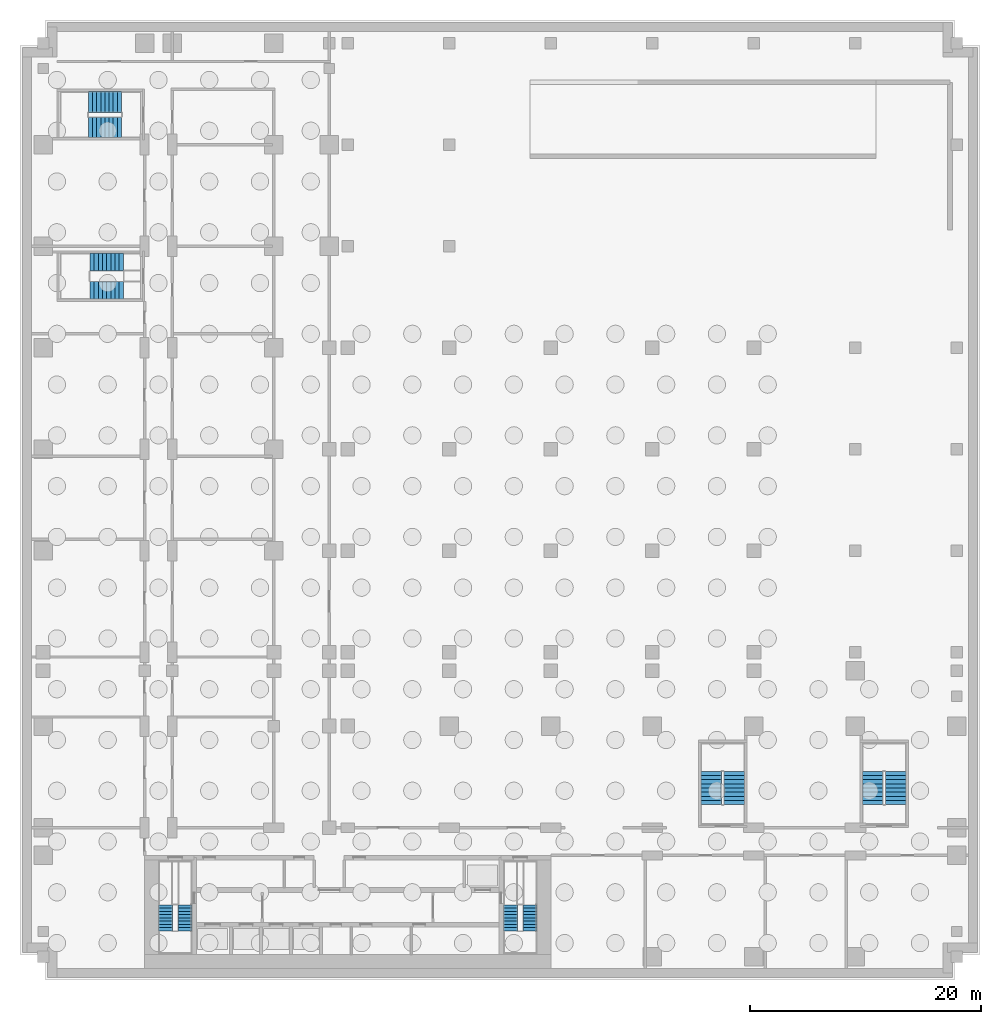
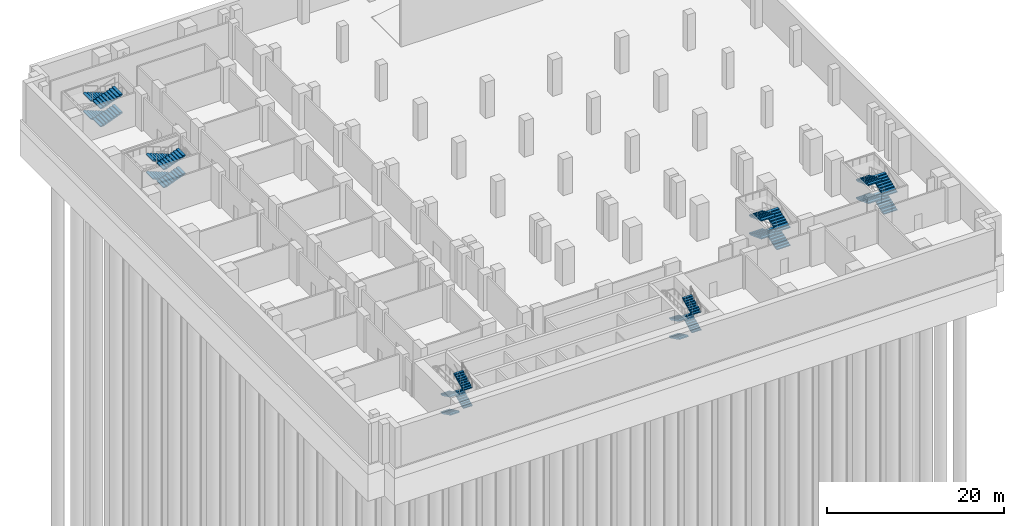
# One storey, part 9 of 14: 24 stair flights, 6 elements without a shape of their own.
"""IFC4 building model written with IfcOpenShell, lengths in metres."""

from ifc_helpers import new_model, si_unit, direction, frame, origin, place, context, subcontext, project, spatial, polyline, outline, extrude, material, type_object, element, aggregate, save


model = new_model("IFC4")

# Units and contexts
model_context = context("Model", 3, precision=1e-05, world=origin(), true_north=direction((0.0, 1.0)))
body_context = subcontext(model_context, "Body", "Model", "MODEL_VIEW")
ifc_project = project(units=[si_unit("LENGTHUNIT", "METRE"), si_unit("AREAUNIT", "SQUARE_METRE"), si_unit("VOLUMEUNIT", "CUBIC_METRE"), si_unit("PLANEANGLEUNIT", "RADIAN"), si_unit("MASSUNIT", "GRAM", prefix="KILO")], contexts=[model_context])

# Site, building, storey
site_placement = place(None, origin())
site = spatial("IfcSite", under=ifc_project, at=site_placement, CompositionType="ELEMENT")
building_placement = place(site_placement, origin())
building = spatial("IfcBuilding", under=site, at=building_placement, Name="Kemantara Hotel Tower", CompositionType="ELEMENT")
storey_placement = place(building_placement, frame((0.0, 0.0, -17.0)))
storey = spatial("IfcBuildingStorey", under=building, at=storey_placement, Name="B3", CompositionType="ELEMENT", Elevation=-17.0)

# Stair, stair flights
ifc_material = material(Name="Concrete fc 40 MPa", Category="concrete")
stair_type_1 = type_object("IfcStairType", Name="Stair 1200 wide 36 risers of 139 x 280 mm", PredefinedType="HALF_TURN_STAIR", material=ifc_material)
stair_1_placement = place(storey_placement, origin())
stair_1 = element("IfcStair", 1, at=stair_1_placement, inside=storey, type_object=stair_type_1, Name="B3 Exit stair ST1", PredefinedType="HALF_TURN_STAIR")
stair_flight_type_1 = type_object("IfcStairFlightType", Name="Stair flight 1200 wide 139 x 280 mm", PredefinedType="STRAIGHT", material=ifc_material)
stair_flight_1_placement = place(storey_placement, frame((11.60009765625, 5.5, 0.0), z_axis=(0.0, 0.0, 1.0), x_axis=(0.0, -1.0, 0.0)))
stair_flight_1 = element("IfcStairFlight", 2, at=stair_flight_1_placement, type_object=stair_flight_type_1, Name="ST1 flight 1", NumberOfRisers=9, NumberOfTreads=8, PredefinedType="STRAIGHT", RiserHeight=0.138888889, TreadLength=0.28, context=body_context, shape_type="SweptSolid", body=[
    extrude(outline(polyline([(0.0, 0.0), (0.0, 0.138916015625), (0.280029296875, 0.138916015625), (0.280029296875, 0.27783203125), (0.56005859375, 0.27783203125), (0.56005859375, 0.416748046875), (0.840087890625, 0.416748046875), (0.840087890625, 0.5556640625), (1.1201171875, 0.5556640625), (1.1201171875, 0.6943359375), (1.39990234375, 0.6943359375), (1.39990234375, 0.833251953125), (1.679931640625, 0.833251953125), (1.679931640625, 0.97216796875), (1.9599609375, 0.97216796875), (1.9599609375, 1.111083984375), (2.239990234375, 1.111083984375), (2.239990234375, 1.25), (2.239990234375, 0.94384765625), (0.33740234375, 0.0), (0.0, 0.0)])), frame((0.0, 0.60009765625, 0.0), z_axis=(0.0, -1.0, 0.0), x_axis=(1.0, 0.0, 0.0)), (0.0, 0.0, 1.0), 1.199951171875),
])
stair_flight_2_placement = place(storey_placement, frame((13.300048828125, 3.260009765625, 1.25), z_axis=(0.0, 0.0, 1.0), x_axis=(0.0, 1.0, 0.0)))
stair_flight_2 = element("IfcStairFlight", 3, at=stair_flight_2_placement, type_object=stair_flight_type_1, Name="ST1 flight 2", NumberOfRisers=9, NumberOfTreads=8, PredefinedType="STRAIGHT", RiserHeight=0.138888889, TreadLength=0.28, context=body_context, shape_type="SweptSolid", body=[
    extrude(outline(polyline([(0.0, 0.0), (0.0, 0.138916015625), (0.280029296875, 0.138916015625), (0.280029296875, 0.27783203125), (0.56005859375, 0.27783203125), (0.56005859375, 0.416748046875), (0.840087890625, 0.416748046875), (0.840087890625, 0.5556640625), (1.1201171875, 0.5556640625), (1.1201171875, 0.6943359375), (1.39990234375, 0.6943359375), (1.39990234375, 0.833251953125), (1.679931640625, 0.833251953125), (1.679931640625, 0.97216796875), (1.9599609375, 0.97216796875), (1.9599609375, 1.111083984375), (2.239990234375, 1.111083984375), (2.239990234375, 1.25), (2.239990234375, 0.94384765625), (0.33740234375, 0.0), (0.0, 0.0)])), frame((0.0, 0.60009765625, 0.0), z_axis=(0.0, -1.0, 0.0), x_axis=(1.0, 0.0, 0.0)), (0.0, 0.0, 1.0), 1.199951171875),
])
stair_flight_3_placement = place(storey_placement, frame((11.60009765625, 5.5, 2.5), z_axis=(0.0, 0.0, 1.0), x_axis=(0.0, -1.0, 0.0)))
stair_flight_3 = element("IfcStairFlight", 4, at=stair_flight_3_placement, type_object=stair_flight_type_1, Name="ST1 flight 3", NumberOfRisers=9, NumberOfTreads=8, PredefinedType="STRAIGHT", RiserHeight=0.138888889, TreadLength=0.28, context=body_context, shape_type="SweptSolid", body=[
    extrude(outline(polyline([(0.0, 0.0), (0.0, 0.138916015625), (0.280029296875, 0.138916015625), (0.280029296875, 0.27783203125), (0.56005859375, 0.27783203125), (0.56005859375, 0.416748046875), (0.840087890625, 0.416748046875), (0.840087890625, 0.5556640625), (1.1201171875, 0.5556640625), (1.1201171875, 0.6943359375), (1.39990234375, 0.6943359375), (1.39990234375, 0.833251953125), (1.679931640625, 0.833251953125), (1.679931640625, 0.97216796875), (1.9599609375, 0.97216796875), (1.9599609375, 1.111083984375), (2.239990234375, 1.111083984375), (2.239990234375, 1.25), (2.239990234375, 0.94384765625), (0.33740234375, 0.0), (0.0, 0.0)])), frame((0.0, 0.60009765625, 0.0), z_axis=(0.0, -1.0, 0.0), x_axis=(1.0, 0.0, 0.0)), (0.0, 0.0, 1.0), 1.199951171875),
])
stair_flight_4_placement = place(storey_placement, frame((13.300048828125, 3.260009765625, 3.75), z_axis=(0.0, 0.0, 1.0), x_axis=(0.0, 1.0, 0.0)))
stair_flight_4 = element("IfcStairFlight", 5, at=stair_flight_4_placement, type_object=stair_flight_type_1, Name="ST1 flight 4", NumberOfRisers=9, NumberOfTreads=8, PredefinedType="STRAIGHT", RiserHeight=0.138888889, TreadLength=0.28, context=body_context, shape_type="SweptSolid", body=[
    extrude(outline(polyline([(0.0, 0.0), (0.0, 0.138916015625), (0.280029296875, 0.138916015625), (0.280029296875, 0.27783203125), (0.56005859375, 0.27783203125), (0.56005859375, 0.416748046875), (0.840087890625, 0.416748046875), (0.840087890625, 0.5556640625), (1.1201171875, 0.5556640625), (1.1201171875, 0.6943359375), (1.39990234375, 0.6943359375), (1.39990234375, 0.833251953125), (1.679931640625, 0.833251953125), (1.679931640625, 0.97216796875), (1.9599609375, 0.97216796875), (1.9599609375, 1.111083984375), (2.239990234375, 1.111083984375), (2.239990234375, 1.25), (2.239990234375, 0.94384765625), (0.33740234375, 0.0), (0.0, 0.0)])), frame((0.0, 0.60009765625, 0.0), z_axis=(0.0, -1.0, 0.0), x_axis=(1.0, 0.0, 0.0)), (0.0, 0.0, 1.0), 1.199951171875),
])
aggregate(stair_1, [stair_flight_1, stair_flight_2, stair_flight_3, stair_flight_4])

stair_2_placement = place(storey_placement, origin())
stair_2 = element("IfcStair", 6, at=stair_2_placement, inside=storey, type_object=stair_type_1, Name="B3 Exit stair ST2", PredefinedType="HALF_TURN_STAIR")
stair_flight_5_placement = place(storey_placement, frame((41.5, 5.5, 0.0), z_axis=(0.0, 0.0, 1.0), x_axis=(0.0, -1.0, 0.0)))
stair_flight_5 = element("IfcStairFlight", 7, at=stair_flight_5_placement, type_object=stair_flight_type_1, Name="ST2 flight 1", NumberOfRisers=9, NumberOfTreads=8, PredefinedType="STRAIGHT", RiserHeight=0.138888889, TreadLength=0.28, context=body_context, shape_type="SweptSolid", body=[
    extrude(outline(polyline([(0.0, 0.0), (0.0, 0.138916015625), (0.280029296875, 0.138916015625), (0.280029296875, 0.27783203125), (0.56005859375, 0.27783203125), (0.56005859375, 0.416748046875), (0.840087890625, 0.416748046875), (0.840087890625, 0.5556640625), (1.1201171875, 0.5556640625), (1.1201171875, 0.6943359375), (1.39990234375, 0.6943359375), (1.39990234375, 0.833251953125), (1.679931640625, 0.833251953125), (1.679931640625, 0.97216796875), (1.9599609375, 0.97216796875), (1.9599609375, 1.111083984375), (2.239990234375, 1.111083984375), (2.239990234375, 1.25), (2.239990234375, 0.94384765625), (0.33740234375, 0.0), (0.0, 0.0)])), frame((0.0, 0.60009765625, 0.0), z_axis=(0.0, -1.0, 0.0), x_axis=(1.0, 0.0, 0.0)), (0.0, 0.0, 1.0), 1.199951171875),
])
stair_flight_6_placement = place(storey_placement, frame((43.199951171875, 3.260009765625, 1.25), z_axis=(0.0, 0.0, 1.0), x_axis=(0.0, 1.0, 0.0)))
stair_flight_6 = element("IfcStairFlight", 8, at=stair_flight_6_placement, type_object=stair_flight_type_1, Name="ST2 flight 2", NumberOfRisers=9, NumberOfTreads=8, PredefinedType="STRAIGHT", RiserHeight=0.138888889, TreadLength=0.28, context=body_context, shape_type="SweptSolid", body=[
    extrude(outline(polyline([(0.0, 0.0), (0.0, 0.138916015625), (0.280029296875, 0.138916015625), (0.280029296875, 0.27783203125), (0.56005859375, 0.27783203125), (0.56005859375, 0.416748046875), (0.840087890625, 0.416748046875), (0.840087890625, 0.5556640625), (1.1201171875, 0.5556640625), (1.1201171875, 0.6943359375), (1.39990234375, 0.6943359375), (1.39990234375, 0.833251953125), (1.679931640625, 0.833251953125), (1.679931640625, 0.97216796875), (1.9599609375, 0.97216796875), (1.9599609375, 1.111083984375), (2.239990234375, 1.111083984375), (2.239990234375, 1.25), (2.239990234375, 0.94384765625), (0.33740234375, 0.0), (0.0, 0.0)])), frame((0.0, 0.60009765625, 0.0), z_axis=(0.0, -1.0, 0.0), x_axis=(1.0, 0.0, 0.0)), (0.0, 0.0, 1.0), 1.199951171875),
])
stair_flight_7_placement = place(storey_placement, frame((41.5, 5.5, 2.5), z_axis=(0.0, 0.0, 1.0), x_axis=(0.0, -1.0, 0.0)))
stair_flight_7 = element("IfcStairFlight", 9, at=stair_flight_7_placement, type_object=stair_flight_type_1, Name="ST2 flight 3", NumberOfRisers=9, NumberOfTreads=8, PredefinedType="STRAIGHT", RiserHeight=0.138888889, TreadLength=0.28, context=body_context, shape_type="SweptSolid", body=[
    extrude(outline(polyline([(0.0, 0.0), (0.0, 0.138916015625), (0.280029296875, 0.138916015625), (0.280029296875, 0.27783203125), (0.56005859375, 0.27783203125), (0.56005859375, 0.416748046875), (0.840087890625, 0.416748046875), (0.840087890625, 0.5556640625), (1.1201171875, 0.5556640625), (1.1201171875, 0.6943359375), (1.39990234375, 0.6943359375), (1.39990234375, 0.833251953125), (1.679931640625, 0.833251953125), (1.679931640625, 0.97216796875), (1.9599609375, 0.97216796875), (1.9599609375, 1.111083984375), (2.239990234375, 1.111083984375), (2.239990234375, 1.25), (2.239990234375, 0.94384765625), (0.33740234375, 0.0), (0.0, 0.0)])), frame((0.0, 0.60009765625, 0.0), z_axis=(0.0, -1.0, 0.0), x_axis=(1.0, 0.0, 0.0)), (0.0, 0.0, 1.0), 1.199951171875),
])
stair_flight_8_placement = place(storey_placement, frame((43.199951171875, 3.260009765625, 3.75), z_axis=(0.0, 0.0, 1.0), x_axis=(0.0, 1.0, 0.0)))
stair_flight_8 = element("IfcStairFlight", 10, at=stair_flight_8_placement, type_object=stair_flight_type_1, Name="ST2 flight 4", NumberOfRisers=9, NumberOfTreads=8, PredefinedType="STRAIGHT", RiserHeight=0.138888889, TreadLength=0.28, context=body_context, shape_type="SweptSolid", body=[
    extrude(outline(polyline([(0.0, 0.0), (0.0, 0.138916015625), (0.280029296875, 0.138916015625), (0.280029296875, 0.27783203125), (0.56005859375, 0.27783203125), (0.56005859375, 0.416748046875), (0.840087890625, 0.416748046875), (0.840087890625, 0.5556640625), (1.1201171875, 0.5556640625), (1.1201171875, 0.6943359375), (1.39990234375, 0.6943359375), (1.39990234375, 0.833251953125), (1.679931640625, 0.833251953125), (1.679931640625, 0.97216796875), (1.9599609375, 0.97216796875), (1.9599609375, 1.111083984375), (2.239990234375, 1.111083984375), (2.239990234375, 1.25), (2.239990234375, 0.94384765625), (0.33740234375, 0.0), (0.0, 0.0)])), frame((0.0, 0.60009765625, 0.0), z_axis=(0.0, -1.0, 0.0), x_axis=(1.0, 0.0, 0.0)), (0.0, 0.0, 1.0), 1.199951171875),
])
aggregate(stair_2, [stair_flight_5, stair_flight_6, stair_flight_7, stair_flight_8])

stair_type_2 = type_object("IfcStairType", Name="Stair 1550 wide 36 risers of 139 x 360 mm", PredefinedType="HALF_TURN_STAIR", material=ifc_material)
stair_3_placement = place(storey_placement, origin())
stair_3 = element("IfcStair", 11, at=stair_3_placement, inside=storey, type_object=stair_type_2, Name="B3 Exit stair ST4", PredefinedType="HALF_TURN_STAIR")
stair_flight_type_2 = type_object("IfcStairFlightType", Name="Stair flight 1550 wide 139 x 360 mm", PredefinedType="STRAIGHT", material=ifc_material)
stair_flight_9_placement = place(storey_placement, frame((7.949951171875, 61.22509765625, 0.0), z_axis=(0.0, 0.0, 1.0), x_axis=(-1.0, 0.0, 0.0)))
stair_flight_9 = element("IfcStairFlight", 12, at=stair_flight_9_placement, type_object=stair_flight_type_2, Name="ST4 flight 1", NumberOfRisers=9, NumberOfTreads=8, PredefinedType="STRAIGHT", RiserHeight=0.138888889, TreadLength=0.36, context=body_context, shape_type="SweptSolid", body=[
    extrude(outline(polyline([(0.0, 0.0), (0.0, 0.138916015625), (0.360107421875, 0.138916015625), (0.360107421875, 0.27783203125), (0.719970703125, 0.27783203125), (0.719970703125, 0.416748046875), (1.080078125, 0.416748046875), (1.080078125, 0.5556640625), (1.43994140625, 0.5556640625), (1.43994140625, 0.6943359375), (1.800048828125, 0.6943359375), (1.800048828125, 0.833251953125), (2.159912109375, 0.833251953125), (2.159912109375, 0.97216796875), (2.52001953125, 0.97216796875), (2.52001953125, 1.111083984375), (2.8798828125, 1.111083984375), (2.8798828125, 1.25), (2.8798828125, 0.950439453125), (0.41650390625, 0.0), (0.0, 0.0)])), frame((0.0, 0.77490234375, 0.0), z_axis=(0.0, -1.0, 0.0), x_axis=(1.0, 0.0, 0.0)), (0.0, 0.0, 1.0), 1.550048828125),
])
stair_flight_10_placement = place(storey_placement, frame((5.070068359375, 58.77490234375, 1.25), z_axis=(0.0, 0.0, 1.0), x_axis=(1.0, 0.0, 0.0)))
stair_flight_10 = element("IfcStairFlight", 13, at=stair_flight_10_placement, type_object=stair_flight_type_2, Name="ST4 flight 2", NumberOfRisers=9, NumberOfTreads=8, PredefinedType="STRAIGHT", RiserHeight=0.138888889, TreadLength=0.36, context=body_context, shape_type="SweptSolid", body=[
    extrude(outline(polyline([(0.0, 0.0), (0.0, 0.138916015625), (0.360107421875, 0.138916015625), (0.360107421875, 0.27783203125), (0.719970703125, 0.27783203125), (0.719970703125, 0.416748046875), (1.080078125, 0.416748046875), (1.080078125, 0.5556640625), (1.43994140625, 0.5556640625), (1.43994140625, 0.6943359375), (1.800048828125, 0.6943359375), (1.800048828125, 0.833251953125), (2.159912109375, 0.833251953125), (2.159912109375, 0.97216796875), (2.52001953125, 0.97216796875), (2.52001953125, 1.111083984375), (2.8798828125, 1.111083984375), (2.8798828125, 1.25), (2.8798828125, 0.950439453125), (0.41650390625, 0.0), (0.0, 0.0)])), frame((0.0, 0.77490234375, 0.0), z_axis=(0.0, -1.0, 0.0), x_axis=(1.0, 0.0, 0.0)), (0.0, 0.0, 1.0), 1.550048828125),
])
stair_flight_11_placement = place(storey_placement, frame((7.949951171875, 61.22509765625, 2.5), z_axis=(0.0, 0.0, 1.0), x_axis=(-1.0, 0.0, 0.0)))
stair_flight_11 = element("IfcStairFlight", 14, at=stair_flight_11_placement, type_object=stair_flight_type_2, Name="ST4 flight 3", NumberOfRisers=9, NumberOfTreads=8, PredefinedType="STRAIGHT", RiserHeight=0.138888889, TreadLength=0.36, context=body_context, shape_type="SweptSolid", body=[
    extrude(outline(polyline([(0.0, 0.0), (0.0, 0.138916015625), (0.360107421875, 0.138916015625), (0.360107421875, 0.27783203125), (0.719970703125, 0.27783203125), (0.719970703125, 0.416748046875), (1.080078125, 0.416748046875), (1.080078125, 0.5556640625), (1.43994140625, 0.5556640625), (1.43994140625, 0.6943359375), (1.800048828125, 0.6943359375), (1.800048828125, 0.833251953125), (2.159912109375, 0.833251953125), (2.159912109375, 0.97216796875), (2.52001953125, 0.97216796875), (2.52001953125, 1.111083984375), (2.8798828125, 1.111083984375), (2.8798828125, 1.25), (2.8798828125, 0.950439453125), (0.41650390625, 0.0), (0.0, 0.0)])), frame((0.0, 0.77490234375, 0.0), z_axis=(0.0, -1.0, 0.0), x_axis=(1.0, 0.0, 0.0)), (0.0, 0.0, 1.0), 1.550048828125),
])
stair_flight_12_placement = place(storey_placement, frame((5.070068359375, 58.77490234375, 3.75), z_axis=(0.0, 0.0, 1.0), x_axis=(1.0, 0.0, 0.0)))
stair_flight_12 = element("IfcStairFlight", 15, at=stair_flight_12_placement, type_object=stair_flight_type_2, Name="ST4 flight 4", NumberOfRisers=9, NumberOfTreads=8, PredefinedType="STRAIGHT", RiserHeight=0.138888889, TreadLength=0.36, context=body_context, shape_type="SweptSolid", body=[
    extrude(outline(polyline([(0.0, 0.0), (0.0, 0.138916015625), (0.360107421875, 0.138916015625), (0.360107421875, 0.27783203125), (0.719970703125, 0.27783203125), (0.719970703125, 0.416748046875), (1.080078125, 0.416748046875), (1.080078125, 0.5556640625), (1.43994140625, 0.5556640625), (1.43994140625, 0.6943359375), (1.800048828125, 0.6943359375), (1.800048828125, 0.833251953125), (2.159912109375, 0.833251953125), (2.159912109375, 0.97216796875), (2.52001953125, 0.97216796875), (2.52001953125, 1.111083984375), (2.8798828125, 1.111083984375), (2.8798828125, 1.25), (2.8798828125, 0.950439453125), (0.41650390625, 0.0), (0.0, 0.0)])), frame((0.0, 0.77490234375, 0.0), z_axis=(0.0, -1.0, 0.0), x_axis=(1.0, 0.0, 0.0)), (0.0, 0.0, 1.0), 1.550048828125),
])
aggregate(stair_3, [stair_flight_9, stair_flight_10, stair_flight_11, stair_flight_12])

stair_type_3 = type_object("IfcStairType", Name="Stair 1800 wide 36 risers of 139 x 360 mm", PredefinedType="HALF_TURN_STAIR", material=ifc_material)
stair_4_placement = place(storey_placement, origin())
stair_4 = element("IfcStair", 16, at=stair_4_placement, inside=storey, type_object=stair_type_3, Name="B3 Exit stair ST3", PredefinedType="HALF_TURN_STAIR")
stair_flight_type_3 = type_object("IfcStairFlightType", Name="Stair flight 1800 wide 139 x 360 mm", PredefinedType="STRAIGHT", material=ifc_material)
stair_flight_13_placement = place(storey_placement, frame((60.89990234375, 14.199951171875, 0.0), z_axis=(0.0, 0.0, 1.0), x_axis=(0.0, 1.0, 0.0)))
stair_flight_13 = element("IfcStairFlight", 17, at=stair_flight_13_placement, type_object=stair_flight_type_3, Name="ST3 flight 1", NumberOfRisers=9, NumberOfTreads=8, PredefinedType="STRAIGHT", RiserHeight=0.138888889, TreadLength=0.36, context=body_context, shape_type="SweptSolid", body=[
    extrude(outline(polyline([(0.0, 0.0), (0.0, 0.138916015625), (0.360107421875, 0.138916015625), (0.360107421875, 0.27783203125), (0.719970703125, 0.27783203125), (0.719970703125, 0.416748046875), (1.080078125, 0.416748046875), (1.080078125, 0.5556640625), (1.43994140625, 0.5556640625), (1.43994140625, 0.6943359375), (1.800048828125, 0.6943359375), (1.800048828125, 0.833251953125), (2.159912109375, 0.833251953125), (2.159912109375, 0.97216796875), (2.52001953125, 0.97216796875), (2.52001953125, 1.111083984375), (2.8798828125, 1.111083984375), (2.8798828125, 1.25), (2.8798828125, 0.950439453125), (0.41650390625, 0.0), (0.0, 0.0)])), frame((0.0, 0.89990234375, 0.0), z_axis=(0.0, -1.0, 0.0), x_axis=(1.0, 0.0, 0.0)), (0.0, 0.0, 1.0), 1.800048828125),
])
stair_flight_14_placement = place(storey_placement, frame((58.89990234375, 17.080078125, 1.25), z_axis=(0.0, 0.0, 1.0), x_axis=(0.0, -1.0, 0.0)))
stair_flight_14 = element("IfcStairFlight", 18, at=stair_flight_14_placement, type_object=stair_flight_type_3, Name="ST3 flight 2", NumberOfRisers=9, NumberOfTreads=8, PredefinedType="STRAIGHT", RiserHeight=0.138888889, TreadLength=0.36, context=body_context, shape_type="SweptSolid", body=[
    extrude(outline(polyline([(0.0, 0.0), (0.0, 0.138916015625), (0.360107421875, 0.138916015625), (0.360107421875, 0.27783203125), (0.719970703125, 0.27783203125), (0.719970703125, 0.416748046875), (1.080078125, 0.416748046875), (1.080078125, 0.5556640625), (1.43994140625, 0.5556640625), (1.43994140625, 0.6943359375), (1.800048828125, 0.6943359375), (1.800048828125, 0.833251953125), (2.159912109375, 0.833251953125), (2.159912109375, 0.97216796875), (2.52001953125, 0.97216796875), (2.52001953125, 1.111083984375), (2.8798828125, 1.111083984375), (2.8798828125, 1.25), (2.8798828125, 0.950439453125), (0.41650390625, 0.0), (0.0, 0.0)])), frame((0.0, 0.89990234375, 0.0), z_axis=(0.0, -1.0, 0.0), x_axis=(1.0, 0.0, 0.0)), (0.0, 0.0, 1.0), 1.800048828125),
])
stair_flight_15_placement = place(storey_placement, frame((60.89990234375, 14.199951171875, 2.5), z_axis=(0.0, 0.0, 1.0), x_axis=(0.0, 1.0, 0.0)))
stair_flight_15 = element("IfcStairFlight", 19, at=stair_flight_15_placement, type_object=stair_flight_type_3, Name="ST3 flight 3", NumberOfRisers=9, NumberOfTreads=8, PredefinedType="STRAIGHT", RiserHeight=0.138888889, TreadLength=0.36, context=body_context, shape_type="SweptSolid", body=[
    extrude(outline(polyline([(0.0, 0.0), (0.0, 0.138916015625), (0.360107421875, 0.138916015625), (0.360107421875, 0.27783203125), (0.719970703125, 0.27783203125), (0.719970703125, 0.416748046875), (1.080078125, 0.416748046875), (1.080078125, 0.5556640625), (1.43994140625, 0.5556640625), (1.43994140625, 0.6943359375), (1.800048828125, 0.6943359375), (1.800048828125, 0.833251953125), (2.159912109375, 0.833251953125), (2.159912109375, 0.97216796875), (2.52001953125, 0.97216796875), (2.52001953125, 1.111083984375), (2.8798828125, 1.111083984375), (2.8798828125, 1.25), (2.8798828125, 0.950439453125), (0.41650390625, 0.0), (0.0, 0.0)])), frame((0.0, 0.89990234375, 0.0), z_axis=(0.0, -1.0, 0.0), x_axis=(1.0, 0.0, 0.0)), (0.0, 0.0, 1.0), 1.800048828125),
])
stair_flight_16_placement = place(storey_placement, frame((58.89990234375, 17.080078125, 3.75), z_axis=(0.0, 0.0, 1.0), x_axis=(0.0, -1.0, 0.0)))
stair_flight_16 = element("IfcStairFlight", 20, at=stair_flight_16_placement, type_object=stair_flight_type_3, Name="ST3 flight 4", NumberOfRisers=9, NumberOfTreads=8, PredefinedType="STRAIGHT", RiserHeight=0.138888889, TreadLength=0.36, context=body_context, shape_type="SweptSolid", body=[
    extrude(outline(polyline([(0.0, 0.0), (0.0, 0.138916015625), (0.360107421875, 0.138916015625), (0.360107421875, 0.27783203125), (0.719970703125, 0.27783203125), (0.719970703125, 0.416748046875), (1.080078125, 0.416748046875), (1.080078125, 0.5556640625), (1.43994140625, 0.5556640625), (1.43994140625, 0.6943359375), (1.800048828125, 0.6943359375), (1.800048828125, 0.833251953125), (2.159912109375, 0.833251953125), (2.159912109375, 0.97216796875), (2.52001953125, 0.97216796875), (2.52001953125, 1.111083984375), (2.8798828125, 1.111083984375), (2.8798828125, 1.25), (2.8798828125, 0.950439453125), (0.41650390625, 0.0), (0.0, 0.0)])), frame((0.0, 0.89990234375, 0.0), z_axis=(0.0, -1.0, 0.0), x_axis=(1.0, 0.0, 0.0)), (0.0, 0.0, 1.0), 1.800048828125),
])
aggregate(stair_4, [stair_flight_13, stair_flight_14, stair_flight_15, stair_flight_16])

stair_5_placement = place(storey_placement, origin())
stair_5 = element("IfcStair", 21, at=stair_5_placement, inside=storey, type_object=stair_type_3, Name="B3 Exit stair ST5", PredefinedType="HALF_TURN_STAIR")
stair_flight_17_placement = place(storey_placement, frame((74.89990234375, 14.199951171875, 0.0), z_axis=(0.0, 0.0, 1.0), x_axis=(0.0, 1.0, 0.0)))
stair_flight_17 = element("IfcStairFlight", 22, at=stair_flight_17_placement, type_object=stair_flight_type_3, Name="ST5 flight 1", NumberOfRisers=9, NumberOfTreads=8, PredefinedType="STRAIGHT", RiserHeight=0.138888889, TreadLength=0.36, context=body_context, shape_type="SweptSolid", body=[
    extrude(outline(polyline([(0.0, 0.0), (0.0, 0.138916015625), (0.360107421875, 0.138916015625), (0.360107421875, 0.27783203125), (0.719970703125, 0.27783203125), (0.719970703125, 0.416748046875), (1.080078125, 0.416748046875), (1.080078125, 0.5556640625), (1.43994140625, 0.5556640625), (1.43994140625, 0.6943359375), (1.800048828125, 0.6943359375), (1.800048828125, 0.833251953125), (2.159912109375, 0.833251953125), (2.159912109375, 0.97216796875), (2.52001953125, 0.97216796875), (2.52001953125, 1.111083984375), (2.8798828125, 1.111083984375), (2.8798828125, 1.25), (2.8798828125, 0.950439453125), (0.41650390625, 0.0), (0.0, 0.0)])), frame((0.0, 0.89990234375, 0.0), z_axis=(0.0, -1.0, 0.0), x_axis=(1.0, 0.0, 0.0)), (0.0, 0.0, 1.0), 1.800048828125),
])
stair_flight_18_placement = place(storey_placement, frame((72.89990234375, 17.080078125, 1.25), z_axis=(0.0, 0.0, 1.0), x_axis=(0.0, -1.0, 0.0)))
stair_flight_18 = element("IfcStairFlight", 23, at=stair_flight_18_placement, type_object=stair_flight_type_3, Name="ST5 flight 2", NumberOfRisers=9, NumberOfTreads=8, PredefinedType="STRAIGHT", RiserHeight=0.138888889, TreadLength=0.36, context=body_context, shape_type="SweptSolid", body=[
    extrude(outline(polyline([(0.0, 0.0), (0.0, 0.138916015625), (0.360107421875, 0.138916015625), (0.360107421875, 0.27783203125), (0.719970703125, 0.27783203125), (0.719970703125, 0.416748046875), (1.080078125, 0.416748046875), (1.080078125, 0.5556640625), (1.43994140625, 0.5556640625), (1.43994140625, 0.6943359375), (1.800048828125, 0.6943359375), (1.800048828125, 0.833251953125), (2.159912109375, 0.833251953125), (2.159912109375, 0.97216796875), (2.52001953125, 0.97216796875), (2.52001953125, 1.111083984375), (2.8798828125, 1.111083984375), (2.8798828125, 1.25), (2.8798828125, 0.950439453125), (0.41650390625, 0.0), (0.0, 0.0)])), frame((0.0, 0.89990234375, 0.0), z_axis=(0.0, -1.0, 0.0), x_axis=(1.0, 0.0, 0.0)), (0.0, 0.0, 1.0), 1.800048828125),
])
stair_flight_19_placement = place(storey_placement, frame((74.89990234375, 14.199951171875, 2.5), z_axis=(0.0, 0.0, 1.0), x_axis=(0.0, 1.0, 0.0)))
stair_flight_19 = element("IfcStairFlight", 24, at=stair_flight_19_placement, type_object=stair_flight_type_3, Name="ST5 flight 3", NumberOfRisers=9, NumberOfTreads=8, PredefinedType="STRAIGHT", RiserHeight=0.138888889, TreadLength=0.36, context=body_context, shape_type="SweptSolid", body=[
    extrude(outline(polyline([(0.0, 0.0), (0.0, 0.138916015625), (0.360107421875, 0.138916015625), (0.360107421875, 0.27783203125), (0.719970703125, 0.27783203125), (0.719970703125, 0.416748046875), (1.080078125, 0.416748046875), (1.080078125, 0.5556640625), (1.43994140625, 0.5556640625), (1.43994140625, 0.6943359375), (1.800048828125, 0.6943359375), (1.800048828125, 0.833251953125), (2.159912109375, 0.833251953125), (2.159912109375, 0.97216796875), (2.52001953125, 0.97216796875), (2.52001953125, 1.111083984375), (2.8798828125, 1.111083984375), (2.8798828125, 1.25), (2.8798828125, 0.950439453125), (0.41650390625, 0.0), (0.0, 0.0)])), frame((0.0, 0.89990234375, 0.0), z_axis=(0.0, -1.0, 0.0), x_axis=(1.0, 0.0, 0.0)), (0.0, 0.0, 1.0), 1.800048828125),
])
stair_flight_20_placement = place(storey_placement, frame((72.89990234375, 17.080078125, 3.75), z_axis=(0.0, 0.0, 1.0), x_axis=(0.0, -1.0, 0.0)))
stair_flight_20 = element("IfcStairFlight", 25, at=stair_flight_20_placement, type_object=stair_flight_type_3, Name="ST5 flight 4", NumberOfRisers=9, NumberOfTreads=8, PredefinedType="STRAIGHT", RiserHeight=0.138888889, TreadLength=0.36, context=body_context, shape_type="SweptSolid", body=[
    extrude(outline(polyline([(0.0, 0.0), (0.0, 0.138916015625), (0.360107421875, 0.138916015625), (0.360107421875, 0.27783203125), (0.719970703125, 0.27783203125), (0.719970703125, 0.416748046875), (1.080078125, 0.416748046875), (1.080078125, 0.5556640625), (1.43994140625, 0.5556640625), (1.43994140625, 0.6943359375), (1.800048828125, 0.6943359375), (1.800048828125, 0.833251953125), (2.159912109375, 0.833251953125), (2.159912109375, 0.97216796875), (2.52001953125, 0.97216796875), (2.52001953125, 1.111083984375), (2.8798828125, 1.111083984375), (2.8798828125, 1.25), (2.8798828125, 0.950439453125), (0.41650390625, 0.0), (0.0, 0.0)])), frame((0.0, 0.89990234375, 0.0), z_axis=(0.0, -1.0, 0.0), x_axis=(1.0, 0.0, 0.0)), (0.0, 0.0, 1.0), 1.800048828125),
])
aggregate(stair_5, [stair_flight_17, stair_flight_18, stair_flight_19, stair_flight_20])

stair_6_placement = place(storey_placement, origin())
stair_6 = element("IfcStair", 26, at=stair_6_placement, inside=storey, type_object=stair_type_3, Name="B3 Exit stair ST6", PredefinedType="HALF_TURN_STAIR")
stair_flight_21_placement = place(storey_placement, frame((7.800048828125, 75.10009765625, 0.0), z_axis=(0.0, 0.0, 1.0), x_axis=(-1.0, 0.0, 0.0)))
stair_flight_21 = element("IfcStairFlight", 27, at=stair_flight_21_placement, type_object=stair_flight_type_3, Name="ST6 flight 1", NumberOfRisers=9, NumberOfTreads=8, PredefinedType="STRAIGHT", RiserHeight=0.138888889, TreadLength=0.36, context=body_context, shape_type="SweptSolid", body=[
    extrude(outline(polyline([(0.0, 0.0), (0.0, 0.138916015625), (0.360107421875, 0.138916015625), (0.360107421875, 0.27783203125), (0.719970703125, 0.27783203125), (0.719970703125, 0.416748046875), (1.080078125, 0.416748046875), (1.080078125, 0.5556640625), (1.43994140625, 0.5556640625), (1.43994140625, 0.6943359375), (1.800048828125, 0.6943359375), (1.800048828125, 0.833251953125), (2.159912109375, 0.833251953125), (2.159912109375, 0.97216796875), (2.52001953125, 0.97216796875), (2.52001953125, 1.111083984375), (2.8798828125, 1.111083984375), (2.8798828125, 1.25), (2.8798828125, 0.950439453125), (0.41650390625, 0.0), (0.0, 0.0)])), frame((0.0, 0.89990234375, 0.0), z_axis=(0.0, -1.0, 0.0), x_axis=(1.0, 0.0, 0.0)), (0.0, 0.0, 1.0), 1.800048828125),
])
stair_flight_22_placement = place(storey_placement, frame((4.919921875, 72.89990234375, 1.25), z_axis=(0.0, 0.0, 1.0), x_axis=(1.0, 0.0, 0.0)))
stair_flight_22 = element("IfcStairFlight", 28, at=stair_flight_22_placement, type_object=stair_flight_type_3, Name="ST6 flight 2", NumberOfRisers=9, NumberOfTreads=8, PredefinedType="STRAIGHT", RiserHeight=0.138888889, TreadLength=0.36, context=body_context, shape_type="SweptSolid", body=[
    extrude(outline(polyline([(0.0, 0.0), (0.0, 0.138916015625), (0.360107421875, 0.138916015625), (0.360107421875, 0.27783203125), (0.719970703125, 0.27783203125), (0.719970703125, 0.416748046875), (1.080078125, 0.416748046875), (1.080078125, 0.5556640625), (1.43994140625, 0.5556640625), (1.43994140625, 0.6943359375), (1.800048828125, 0.6943359375), (1.800048828125, 0.833251953125), (2.159912109375, 0.833251953125), (2.159912109375, 0.97216796875), (2.52001953125, 0.97216796875), (2.52001953125, 1.111083984375), (2.8798828125, 1.111083984375), (2.8798828125, 1.25), (2.8798828125, 0.950439453125), (0.41650390625, 0.0), (0.0, 0.0)])), frame((0.0, 0.89990234375, 0.0), z_axis=(0.0, -1.0, 0.0), x_axis=(1.0, 0.0, 0.0)), (0.0, 0.0, 1.0), 1.800048828125),
])
stair_flight_23_placement = place(storey_placement, frame((7.800048828125, 75.10009765625, 2.5), z_axis=(0.0, 0.0, 1.0), x_axis=(-1.0, 0.0, 0.0)))
stair_flight_23 = element("IfcStairFlight", 29, at=stair_flight_23_placement, type_object=stair_flight_type_3, Name="ST6 flight 3", NumberOfRisers=9, NumberOfTreads=8, PredefinedType="STRAIGHT", RiserHeight=0.138888889, TreadLength=0.36, context=body_context, shape_type="SweptSolid", body=[
    extrude(outline(polyline([(0.0, 0.0), (0.0, 0.138916015625), (0.360107421875, 0.138916015625), (0.360107421875, 0.27783203125), (0.719970703125, 0.27783203125), (0.719970703125, 0.416748046875), (1.080078125, 0.416748046875), (1.080078125, 0.5556640625), (1.43994140625, 0.5556640625), (1.43994140625, 0.6943359375), (1.800048828125, 0.6943359375), (1.800048828125, 0.833251953125), (2.159912109375, 0.833251953125), (2.159912109375, 0.97216796875), (2.52001953125, 0.97216796875), (2.52001953125, 1.111083984375), (2.8798828125, 1.111083984375), (2.8798828125, 1.25), (2.8798828125, 0.950439453125), (0.41650390625, 0.0), (0.0, 0.0)])), frame((0.0, 0.89990234375, 0.0), z_axis=(0.0, -1.0, 0.0), x_axis=(1.0, 0.0, 0.0)), (0.0, 0.0, 1.0), 1.800048828125),
])
stair_flight_24_placement = place(storey_placement, frame((4.919921875, 72.89990234375, 3.75), z_axis=(0.0, 0.0, 1.0), x_axis=(1.0, 0.0, 0.0)))
stair_flight_24 = element("IfcStairFlight", 30, at=stair_flight_24_placement, type_object=stair_flight_type_3, Name="ST6 flight 4", NumberOfRisers=9, NumberOfTreads=8, PredefinedType="STRAIGHT", RiserHeight=0.138888889, TreadLength=0.36, context=body_context, shape_type="SweptSolid", body=[
    extrude(outline(polyline([(0.0, 0.0), (0.0, 0.138916015625), (0.360107421875, 0.138916015625), (0.360107421875, 0.27783203125), (0.719970703125, 0.27783203125), (0.719970703125, 0.416748046875), (1.080078125, 0.416748046875), (1.080078125, 0.5556640625), (1.43994140625, 0.5556640625), (1.43994140625, 0.6943359375), (1.800048828125, 0.6943359375), (1.800048828125, 0.833251953125), (2.159912109375, 0.833251953125), (2.159912109375, 0.97216796875), (2.52001953125, 0.97216796875), (2.52001953125, 1.111083984375), (2.8798828125, 1.111083984375), (2.8798828125, 1.25), (2.8798828125, 0.950439453125), (0.41650390625, 0.0), (0.0, 0.0)])), frame((0.0, 0.89990234375, 0.0), z_axis=(0.0, -1.0, 0.0), x_axis=(1.0, 0.0, 0.0)), (0.0, 0.0, 1.0), 1.800048828125),
])
aggregate(stair_6, [stair_flight_21, stair_flight_22, stair_flight_23, stair_flight_24])

save(model, "model.ifc")
